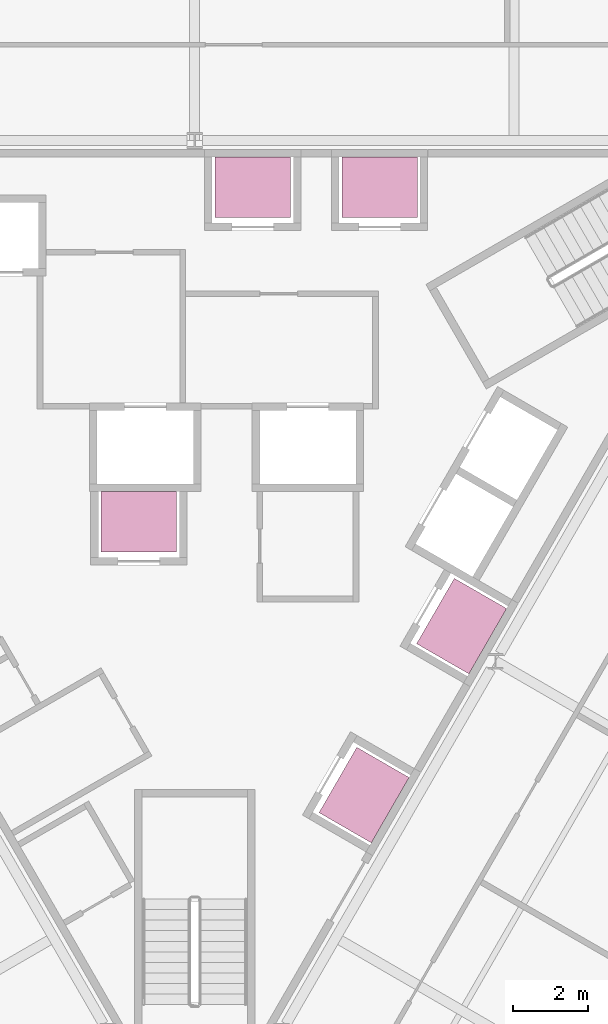
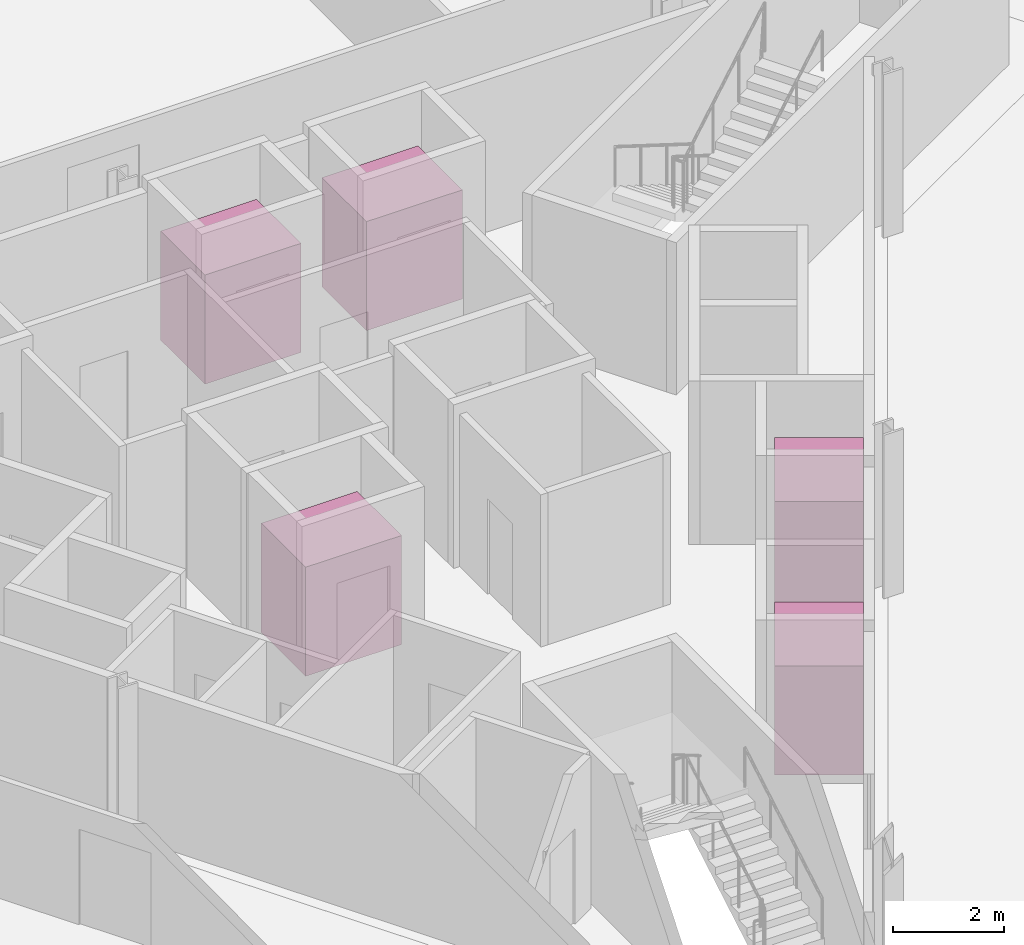
# One storey, part 16 of 16: 5 transport elements.
"""IFC4 building model written with IfcOpenShell, lengths in metres."""

from ifc_helpers import new_model, si_unit, direction, frame, origin, origin_2d, place, context, subcontext, project, spatial, rectangle, extrude, material, type_object, element, save


model = new_model("IFC4")

# Units and contexts
model_context = context("Model", 3, precision=1e-05, world=origin(), true_north=direction((0.0, 1.0)))
body_context = subcontext(model_context, "Body", "Model", "MODEL_VIEW")
ifc_project = project(units=[si_unit("LENGTHUNIT", "METRE"), si_unit("AREAUNIT", "SQUARE_METRE"), si_unit("VOLUMEUNIT", "CUBIC_METRE"), si_unit("PLANEANGLEUNIT", "RADIAN"), si_unit("MASSUNIT", "GRAM", prefix="KILO")], contexts=[model_context])

# Site, building, storey
site_placement = place(None, origin())
site = spatial("IfcSite", under=ifc_project, at=site_placement, CompositionType="ELEMENT")
building_placement = place(site_placement, origin())
building = spatial("IfcBuilding", under=site, at=building_placement, Name="Verrane Prism Tower", CompositionType="ELEMENT")
storey_placement = place(building_placement, frame((0.0, 0.0, 36.800048828125)))
storey = spatial("IfcBuildingStorey", under=building, at=storey_placement, Name="L06", CompositionType="ELEMENT", Elevation=36.800048828125)

# Transport elements
ifc_material = material(Name="Stainless steel lift car", Category="steel")
transport_element_type = type_object("IfcTransportElementType", Name="Lift car 2000x1600", PredefinedType="ELEVATOR", material=ifc_material)
for number, where, z_axis, x_axis, name in (
    (1, (1.5400390625, 7.9599609375, 0.0), (0.0, 0.0, 1.0), (-1.0, 0.0, 0.0), "Bank A lift 1 car"),
    (2, (-1.47998046875, -0.89990234375, 0.0), (0.0, 0.0, 1.0), (-1.0, 0.0, 0.0), "Bank A lift 2 car"),
    (3, (4.89990234375, 7.9599609375, 0.0), (0.0, 0.0, 1.0), (-1.0, 0.0, 0.0), "Bank A lift 3 car"),
    (4, (4.488525390625, -8.1455078125, 0.0), (0.0, 0.0, 1.0), (0.5, 0.866025403784, 0.0), "Bank A lift 4 car"),
    (5, (7.073486328125, -3.668212890625, 0.0), (0.0, 0.0, 1.0), (0.5, 0.866025403784, 0.0), "Bank A lift 5 car"),
):
    element("IfcTransportElement", number, at=place(storey_placement, frame(where, z_axis=z_axis, x_axis=x_axis)), inside=storey, type_object=transport_element_type, Name=name, PredefinedType="ELEVATOR", context=body_context, shape_type="SweptSolid", body=[
        extrude(rectangle(XDim=2.0, YDim=1.60009765625, at=origin_2d()), origin(), (0.0, 0.0, 1.0), 2.39990234375),
    ])

save(model, "model.ifc")
